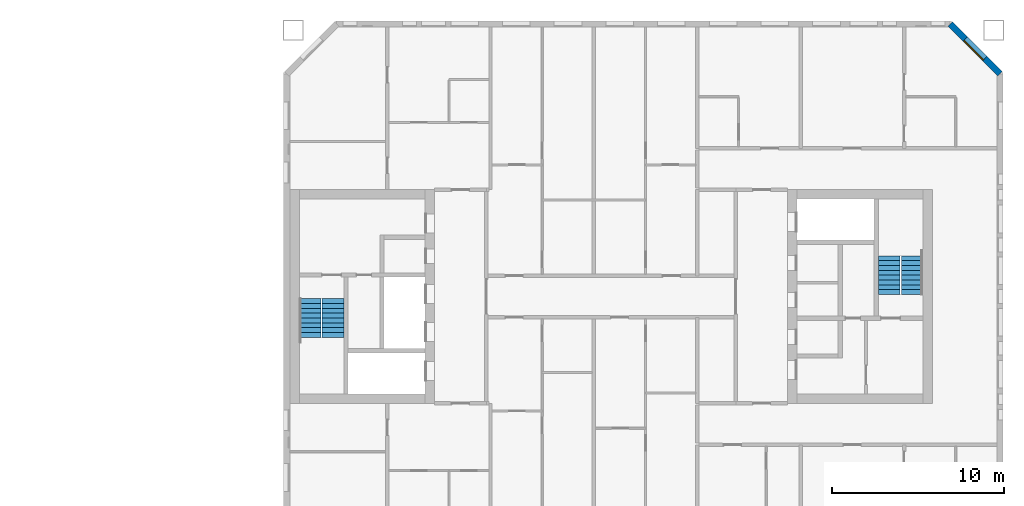
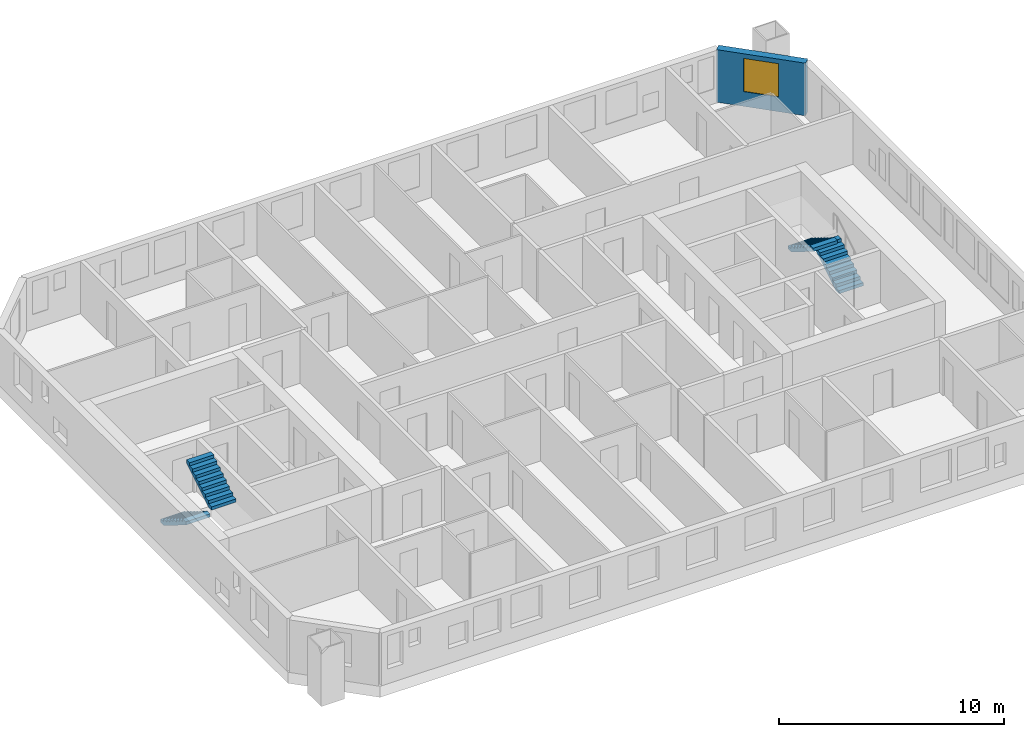
# One storey, part 15 of 17: 4 stair flights, 1 wall, 1 window, 1 opening, 2 elements without a shape of their own.
"""IFC4 building model written with IfcOpenShell, lengths in metres."""

from ifc_helpers import new_model, si_unit, direction, frame, frame_2d, origin, place, context, subcontext, project, spatial, polyline, rectangle, outline, extrude, material, layer, layer_set, type_object, element, fill, aggregate, save


model = new_model("IFC4")

# Units and contexts
model_context = context("Model", 3, precision=1e-05, world=origin(), true_north=direction((0.0, 1.0)))
body_context = subcontext(model_context, "Body", "Model", "MODEL_VIEW")
ifc_project = project(units=[si_unit("LENGTHUNIT", "METRE"), si_unit("AREAUNIT", "SQUARE_METRE"), si_unit("VOLUMEUNIT", "CUBIC_METRE"), si_unit("PLANEANGLEUNIT", "RADIAN"), si_unit("MASSUNIT", "GRAM", prefix="KILO")], contexts=[model_context])

# Site, building, storey
site_placement = place(None, origin())
site = spatial("IfcSite", under=ifc_project, at=site_placement, CompositionType="ELEMENT")
building_placement = place(site_placement, origin())
building = spatial("IfcBuilding", under=site, at=building_placement, Name="Tuart Gate Housing", CompositionType="ELEMENT")
storey_placement = place(building_placement, frame((0.0, 0.0, 123.699951171875)))
storey = spatial("IfcBuildingStorey", under=building, at=storey_placement, Name="L34", CompositionType="ELEMENT", Elevation=123.699951171875)

# Wall, opening, window
ifc_material_1 = material(Name="Brick", Category="masonry")
ifc_layer = layer(ifc_material_1, 0.360107421875)
ifc_layer_set = layer_set([ifc_layer], Name="Brick pier and spandrel wall 360")
wall_type = type_object("IfcWallType", Name="Brick pier and spandrel wall 360", PredefinedType="STANDARD", material=ifc_layer_set)
wall_placement = place(storey_placement, frame((172.570068359375, 82.92529296875, 0.0), z_axis=(0.0, 0.0, 1.0), x_axis=(-0.707106781187, 0.707106781187, 0.0)))
wall = element("IfcWall", 1, at=wall_placement, inside=storey, type_object=wall_type, Name="External wall B-NE L34", PredefinedType="STANDARD", context=body_context, shape_type="SweptSolid", body=[
    extrude(rectangle(XDim=4.09375, YDim=0.360107421875, at=frame_2d((2.046875, 0.0))), origin(), (0.0, 0.0, 1.0), 2.85009765625),
])
opening_placement = place(wall_placement, frame((1.2470703125, 0.0, 0.800048828125)))
opening = element("IfcOpeningElement", 2, at=opening_placement, cuts=wall, Name="Opening W1", PredefinedType="OPENING", context=body_context, shape_type="SweptSolid", body=[
    extrude(rectangle(XDim=1.60009765625, YDim=1.800048828125, at=frame_2d((0.800048828125, 0.89990234375))), frame((0.0, 0.18994140625, 0.0), z_axis=(0.0, -1.0, 0.0), x_axis=(1.0, 0.0, 0.0)), (0.0, 0.0, 1.0), 0.380126953125),
])
ifc_material_2 = material(Name="Aluminium frame with clear glass", Category="aluminium")
window_type = type_object("IfcWindowType", Name="Punched window 1600 x 1800", PartitioningType="SINGLE_PANEL", PredefinedType="WINDOW", material=ifc_material_2)
window_placement = place(opening_placement, origin())
window = element("IfcWindow", 3, at=window_placement, inside=storey, type_object=window_type, Name="Window W1", OverallHeight=1.800048828125, OverallWidth=1.60009765625, PartitioningType="SINGLE_PANEL", PredefinedType="WINDOW", context=body_context, shape_type="SweptSolid", body=[
    extrude(rectangle(XDim=1.60009765625, YDim=1.800048828125, at=frame_2d((0.800048828125, 0.89990234375))), frame((0.0, 0.150146484375, 0.0), z_axis=(0.0, -1.0, 0.0), x_axis=(1.0, 0.0, 0.0)), (0.0, 0.0, 1.0), 0.06005859375),
])
fill(opening, window)

# Stair, stair flights
ifc_material_3 = material(Name="Concrete C40", Category="concrete")
stair_type = type_object("IfcStairType", Name="Core stair 1250", PredefinedType="HALF_TURN_STAIR", material=ifc_material_3)
stair_1_placement = place(storey_placement, origin())
stair_1 = element("IfcStair", 4, at=stair_1_placement, inside=storey, type_object=stair_type, Name="Stair SB1", PredefinedType="HALF_TURN_STAIR")
ifc_material_4 = material(Name="Concrete C40", Category="concrete")
stair_flight_type = type_object("IfcStairFlightType", Name="Stair flight 1250, 9 risers 172 x 280", PredefinedType="STRAIGHT", material=ifc_material_4)
stair_flight_1_placement = place(storey_placement, frame((132.534912109375, 69.875, 0.0), z_axis=(0.0, 0.0, 1.0), x_axis=(0.0, -1.0, 0.0)))
stair_flight_1 = element("IfcStairFlight", 5, at=stair_flight_1_placement, type_object=stair_flight_type, Name="SB1 flight 1", NumberOfRisers=9, NumberOfTreads=8, PredefinedType="STRAIGHT", RiserHeight=0.172222222, TreadLength=0.28, context=body_context, shape_type="SweptSolid", body=[
    extrude(outline(polyline([(0.0, 0.0), (0.0, 0.172119140625), (0.280029296875, 0.172119140625), (0.280029296875, 0.344482421875), (0.56005859375, 0.344482421875), (0.56005859375, 0.5166015625), (0.840087890625, 0.5166015625), (0.840087890625, 0.68896484375), (1.1201171875, 0.68896484375), (1.1201171875, 0.861083984375), (1.39990234375, 0.861083984375), (1.39990234375, 1.033447265625), (1.679931640625, 1.033447265625), (1.679931640625, 1.20556640625), (1.9599609375, 1.20556640625), (1.9599609375, 1.377685546875), (2.239990234375, 1.377685546875), (2.239990234375, 1.550048828125), (2.239990234375, 1.201904296875), (0.2861328125, 0.0), (0.0, 0.0)])), frame((0.0, 0.625, 0.0), z_axis=(0.0, -1.0, 0.0), x_axis=(1.0, 0.0, 0.0)), (0.0, 0.0, 1.0), 1.25),
])
stair_flight_2_placement = place(storey_placement, frame((133.860107421875, 67.635009765625, 1.550048828125), z_axis=(0.0, 0.0, 1.0), x_axis=(0.0, 1.0, 0.0)))
stair_flight_2 = element("IfcStairFlight", 6, at=stair_flight_2_placement, type_object=stair_flight_type, Name="SB1 flight 2", NumberOfRisers=9, NumberOfTreads=8, PredefinedType="STRAIGHT", RiserHeight=0.172222222, TreadLength=0.28, context=body_context, shape_type="SweptSolid", body=[
    extrude(outline(polyline([(0.0, 0.0), (0.0, 0.172119140625), (0.280029296875, 0.172119140625), (0.280029296875, 0.344482421875), (0.56005859375, 0.344482421875), (0.56005859375, 0.5166015625), (0.840087890625, 0.5166015625), (0.840087890625, 0.68896484375), (1.1201171875, 0.68896484375), (1.1201171875, 0.861083984375), (1.39990234375, 0.861083984375), (1.39990234375, 1.033447265625), (1.679931640625, 1.033447265625), (1.679931640625, 1.20556640625), (1.9599609375, 1.20556640625), (1.9599609375, 1.377685546875), (2.239990234375, 1.377685546875), (2.239990234375, 1.550048828125), (2.239990234375, 1.201904296875), (0.2861328125, 0.0), (0.0, 0.0)])), frame((0.0, 0.625, 0.0), z_axis=(0.0, -1.0, 0.0), x_axis=(1.0, 0.0, 0.0)), (0.0, 0.0, 1.0), 1.25),
])
aggregate(stair_1, [stair_flight_1, stair_flight_2])

stair_2_placement = place(storey_placement, origin())
stair_2 = element("IfcStair", 7, at=stair_2_placement, inside=storey, type_object=stair_type, Name="Stair SB2", PredefinedType="HALF_TURN_STAIR")
stair_flight_3_placement = place(storey_placement, frame((167.465087890625, 70.125, 0.0), z_axis=(0.0, 0.0, 1.0), x_axis=(0.0, 1.0, 0.0)))
stair_flight_3 = element("IfcStairFlight", 8, at=stair_flight_3_placement, type_object=stair_flight_type, Name="SB2 flight 1", NumberOfRisers=9, NumberOfTreads=8, PredefinedType="STRAIGHT", RiserHeight=0.172222222, TreadLength=0.28, context=body_context, shape_type="SweptSolid", body=[
    extrude(outline(polyline([(0.0, 0.0), (0.0, 0.172119140625), (0.280029296875, 0.172119140625), (0.280029296875, 0.344482421875), (0.56005859375, 0.344482421875), (0.56005859375, 0.5166015625), (0.840087890625, 0.5166015625), (0.840087890625, 0.68896484375), (1.1201171875, 0.68896484375), (1.1201171875, 0.861083984375), (1.39990234375, 0.861083984375), (1.39990234375, 1.033447265625), (1.679931640625, 1.033447265625), (1.679931640625, 1.20556640625), (1.9599609375, 1.20556640625), (1.9599609375, 1.377685546875), (2.239990234375, 1.377685546875), (2.239990234375, 1.550048828125), (2.239990234375, 1.201904296875), (0.2861328125, 0.0), (0.0, 0.0)])), frame((0.0, 0.625, 0.0), z_axis=(0.0, -1.0, 0.0), x_axis=(1.0, 0.0, 0.0)), (0.0, 0.0, 1.0), 1.25),
])
stair_flight_4_placement = place(storey_placement, frame((166.139892578125, 72.364990234375, 1.550048828125), z_axis=(0.0, 0.0, 1.0), x_axis=(0.0, -1.0, 0.0)))
stair_flight_4 = element("IfcStairFlight", 9, at=stair_flight_4_placement, type_object=stair_flight_type, Name="SB2 flight 2", NumberOfRisers=9, NumberOfTreads=8, PredefinedType="STRAIGHT", RiserHeight=0.172222222, TreadLength=0.28, context=body_context, shape_type="SweptSolid", body=[
    extrude(outline(polyline([(0.0, 0.0), (0.0, 0.172119140625), (0.280029296875, 0.172119140625), (0.280029296875, 0.344482421875), (0.56005859375, 0.344482421875), (0.56005859375, 0.5166015625), (0.840087890625, 0.5166015625), (0.840087890625, 0.68896484375), (1.1201171875, 0.68896484375), (1.1201171875, 0.861083984375), (1.39990234375, 0.861083984375), (1.39990234375, 1.033447265625), (1.679931640625, 1.033447265625), (1.679931640625, 1.20556640625), (1.9599609375, 1.20556640625), (1.9599609375, 1.377685546875), (2.239990234375, 1.377685546875), (2.239990234375, 1.550048828125), (2.239990234375, 1.201904296875), (0.2861328125, 0.0), (0.0, 0.0)])), frame((0.0, 0.625, 0.0), z_axis=(0.0, -1.0, 0.0), x_axis=(1.0, 0.0, 0.0)), (0.0, 0.0, 1.0), 1.25),
])
aggregate(stair_2, [stair_flight_3, stair_flight_4])

save(model, "model.ifc")
